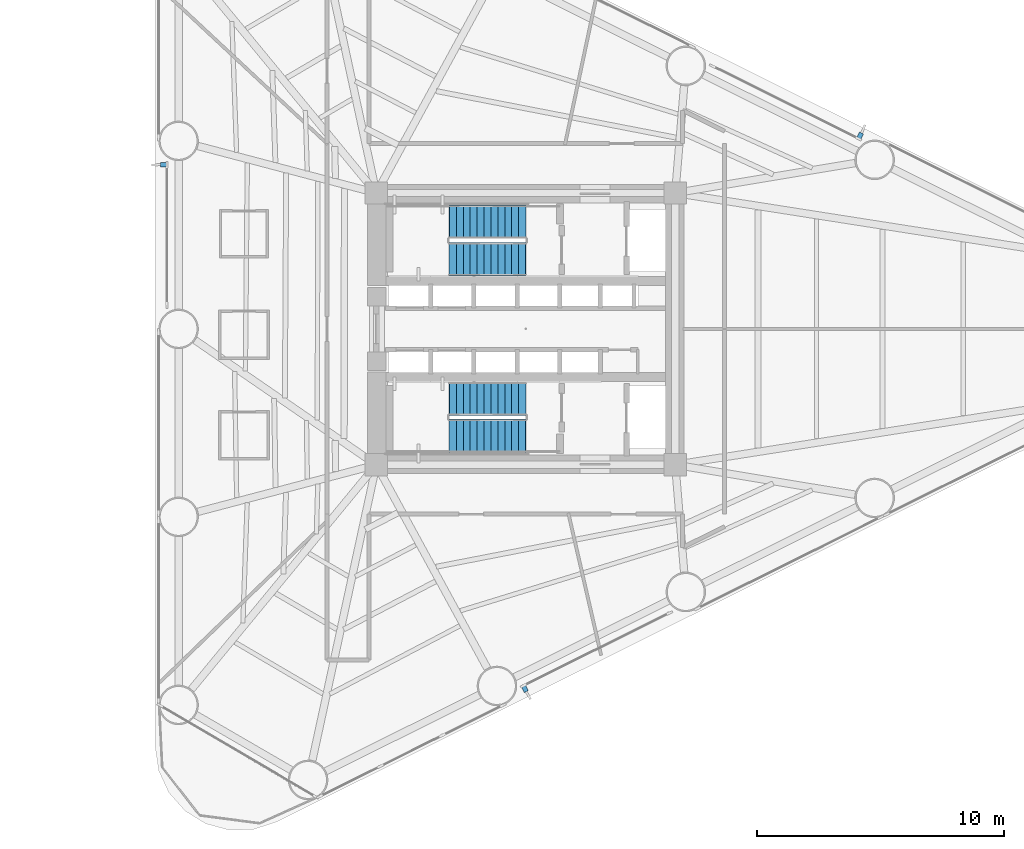
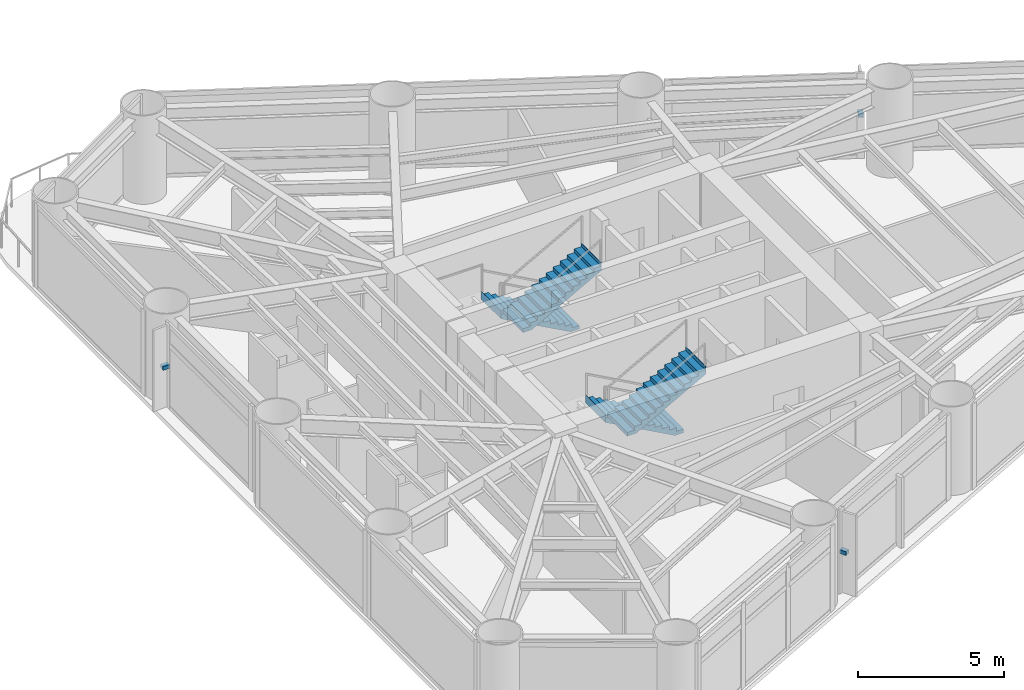
# One storey, part 7 of 10: 4 stair flights, 3 discrete accessories, 2 elements without a shape of their own.
"""IFC4 building model written with IfcOpenShell, lengths in metres."""

from ifc_helpers import new_model, si_unit, direction, frame, origin, origin_2d, place, context, subcontext, project, spatial, polyline, rectangle, outline, extrude, source, transform, mapped, material, type_object, element, aggregate, save


model = new_model("IFC4")

# Units and contexts
model_context = context("Model", 3, precision=1e-05, world=origin(), true_north=direction((0.0, 1.0)))
body_context = subcontext(model_context, "Body", "Model", "MODEL_VIEW")
ifc_project = project(units=[si_unit("LENGTHUNIT", "METRE"), si_unit("AREAUNIT", "SQUARE_METRE"), si_unit("VOLUMEUNIT", "CUBIC_METRE"), si_unit("PLANEANGLEUNIT", "RADIAN"), si_unit("MASSUNIT", "GRAM", prefix="KILO")], contexts=[model_context])

# Site, building, storey
site_placement = place(None, origin())
site = spatial("IfcSite", under=ifc_project, at=site_placement, CompositionType="ELEMENT")
building_placement = place(site_placement, origin())
building = spatial("IfcBuilding", under=site, at=building_placement, Name="Yunling Apex Tower", CompositionType="ELEMENT")
storey_placement = place(building_placement, frame((0.0, 0.0, 23.800048828125)))
storey = spatial("IfcBuildingStorey", under=building, at=storey_placement, Name="L07", CompositionType="ELEMENT", Elevation=23.800048828125)

# Stair, stair flights
ifc_material_1 = material(Name="Concrete C40", Category="concrete")
stair_type = type_object("IfcStairType", Name="ST-TWR-1", PredefinedType="HALF_TURN_STAIR", material=ifc_material_1)
stair_1_placement = place(storey_placement, origin())
stair_1 = element("IfcStair", 1, at=stair_1_placement, inside=storey, type_object=stair_type, Name="L07 North Core Smokeproof Exit Stair ST-1", PredefinedType="HALF_TURN_STAIR")
stair_flight_type = type_object("IfcStairFlightType", Name="SFL-TWR-1", PredefinedType="STRAIGHT", material=ifc_material_1)
stair_flight_1_placement = place(storey_placement, frame((-0.010009765625, 4.330078125, 0.0), z_axis=(0.0, 0.0, 1.0), x_axis=(-1.0, 0.0, 0.0)))
stair_flight_1 = element("IfcStairFlight", 2, at=stair_flight_1_placement, type_object=stair_flight_type, Name="ST-1 flight 1", NumberOfRisers=12, NumberOfTreads=11, PredefinedType="STRAIGHT", RiserHeight=0.154166667, TreadLength=0.28, context=body_context, shape_type="SweptSolid", body=[
    extrude(outline(polyline([(-0.011962890625, 0.0), (-0.011962890625, 0.154052734375), (0.0, 0.154052734375), (0.280029296875, 0.154052734375), (0.280029296875, 0.308349609375), (0.56005859375, 0.308349609375), (0.56005859375, 0.46240234375), (0.840087890625, 0.46240234375), (0.840087890625, 0.61669921875), (1.1201171875, 0.61669921875), (1.1201171875, 0.770751953125), (1.39990234375, 0.770751953125), (1.39990234375, 0.925048828125), (1.679931640625, 0.925048828125), (1.679931640625, 1.0791015625), (1.9599609375, 1.0791015625), (1.9599609375, 1.2333984375), (2.239990234375, 1.2333984375), (2.239990234375, 1.387451171875), (2.52001953125, 1.387451171875), (2.52001953125, 1.541748046875), (2.800048828125, 1.541748046875), (2.800048828125, 1.69580078125), (3.080078125, 1.69580078125), (3.080078125, 1.85009765625), (3.092041015625, 1.85009765625), (3.092041015625, 1.51318359375), (0.33154296875, 0.0), (-0.011962890625, 0.0)])), frame((0.0, 0.68017578125, 0.0), z_axis=(0.0, -1.0, 0.0), x_axis=(1.0, 0.0, 0.0)), (0.0, 0.0, 1.0), 1.360107421875),
])
stair_flight_2_placement = place(storey_placement, frame((-3.090087890625, 2.820068359375, 1.849853515625), z_axis=(0.0, 0.0, 1.0), x_axis=(1.0, 0.0, 0.0)))
stair_flight_2 = element("IfcStairFlight", 3, at=stair_flight_2_placement, type_object=stair_flight_type, Name="ST-1 flight 2", NumberOfRisers=12, NumberOfTreads=11, PredefinedType="STRAIGHT", RiserHeight=0.154166667, TreadLength=0.28, context=body_context, shape_type="SweptSolid", body=[
    extrude(outline(polyline([(-0.011962890625, 0.0), (-0.011962890625, 0.154052734375), (0.0, 0.154052734375), (0.280029296875, 0.154052734375), (0.280029296875, 0.308349609375), (0.56005859375, 0.308349609375), (0.56005859375, 0.46240234375), (0.840087890625, 0.46240234375), (0.840087890625, 0.61669921875), (1.1201171875, 0.61669921875), (1.1201171875, 0.770751953125), (1.39990234375, 0.770751953125), (1.39990234375, 0.925048828125), (1.679931640625, 0.925048828125), (1.679931640625, 1.0791015625), (1.9599609375, 1.0791015625), (1.9599609375, 1.2333984375), (2.239990234375, 1.2333984375), (2.239990234375, 1.387451171875), (2.52001953125, 1.387451171875), (2.52001953125, 1.541748046875), (2.800048828125, 1.541748046875), (2.800048828125, 1.69580078125), (3.080078125, 1.69580078125), (3.080078125, 1.85009765625), (3.092041015625, 1.85009765625), (3.092041015625, 1.51318359375), (0.33154296875, 0.0), (-0.011962890625, 0.0)])), frame((0.0, 0.68017578125, 0.0), z_axis=(0.0, -1.0, 0.0), x_axis=(1.0, 0.0, 0.0)), (0.0, 0.0, 1.0), 1.360107421875),
])
aggregate(stair_1, [stair_flight_1, stair_flight_2])

stair_2_placement = place(storey_placement, origin())
stair_2 = element("IfcStair", 4, at=stair_2_placement, inside=storey, type_object=stair_type, Name="L07 South Core Smokeproof Exit Stair ST-2", PredefinedType="HALF_TURN_STAIR")
stair_flight_3_placement = place(storey_placement, frame((-0.010009765625, -2.820068359375, 0.0), z_axis=(0.0, 0.0, 1.0), x_axis=(-1.0, 0.0, 0.0)))
stair_flight_3 = element("IfcStairFlight", 5, at=stair_flight_3_placement, type_object=stair_flight_type, Name="ST-2 flight 1", NumberOfRisers=12, NumberOfTreads=11, PredefinedType="STRAIGHT", RiserHeight=0.154166667, TreadLength=0.28, context=body_context, shape_type="SweptSolid", body=[
    extrude(outline(polyline([(-0.011962890625, 0.0), (-0.011962890625, 0.154052734375), (0.0, 0.154052734375), (0.280029296875, 0.154052734375), (0.280029296875, 0.308349609375), (0.56005859375, 0.308349609375), (0.56005859375, 0.46240234375), (0.840087890625, 0.46240234375), (0.840087890625, 0.61669921875), (1.1201171875, 0.61669921875), (1.1201171875, 0.770751953125), (1.39990234375, 0.770751953125), (1.39990234375, 0.925048828125), (1.679931640625, 0.925048828125), (1.679931640625, 1.0791015625), (1.9599609375, 1.0791015625), (1.9599609375, 1.2333984375), (2.239990234375, 1.2333984375), (2.239990234375, 1.387451171875), (2.52001953125, 1.387451171875), (2.52001953125, 1.541748046875), (2.800048828125, 1.541748046875), (2.800048828125, 1.69580078125), (3.080078125, 1.69580078125), (3.080078125, 1.85009765625), (3.092041015625, 1.85009765625), (3.092041015625, 1.51318359375), (0.33154296875, 0.0), (-0.011962890625, 0.0)])), frame((0.0, 0.68017578125, 0.0), z_axis=(0.0, -1.0, 0.0), x_axis=(1.0, 0.0, 0.0)), (0.0, 0.0, 1.0), 1.360107421875),
])
stair_flight_4_placement = place(storey_placement, frame((-3.090087890625, -4.330078125, 1.849853515625), z_axis=(0.0, 0.0, 1.0), x_axis=(1.0, 0.0, 0.0)))
stair_flight_4 = element("IfcStairFlight", 6, at=stair_flight_4_placement, type_object=stair_flight_type, Name="ST-2 flight 2", NumberOfRisers=12, NumberOfTreads=11, PredefinedType="STRAIGHT", RiserHeight=0.154166667, TreadLength=0.28, context=body_context, shape_type="SweptSolid", body=[
    extrude(outline(polyline([(-0.011962890625, 0.0), (-0.011962890625, 0.154052734375), (0.0, 0.154052734375), (0.280029296875, 0.154052734375), (0.280029296875, 0.308349609375), (0.56005859375, 0.308349609375), (0.56005859375, 0.46240234375), (0.840087890625, 0.46240234375), (0.840087890625, 0.61669921875), (1.1201171875, 0.61669921875), (1.1201171875, 0.770751953125), (1.39990234375, 0.770751953125), (1.39990234375, 0.925048828125), (1.679931640625, 0.925048828125), (1.679931640625, 1.0791015625), (1.9599609375, 1.0791015625), (1.9599609375, 1.2333984375), (2.239990234375, 1.2333984375), (2.239990234375, 1.387451171875), (2.52001953125, 1.387451171875), (2.52001953125, 1.541748046875), (2.800048828125, 1.541748046875), (2.800048828125, 1.69580078125), (3.080078125, 1.69580078125), (3.080078125, 1.85009765625), (3.092041015625, 1.85009765625), (3.092041015625, 1.51318359375), (0.33154296875, 0.0), (-0.011962890625, 0.0)])), frame((0.0, 0.68017578125, 0.0), z_axis=(0.0, -1.0, 0.0), x_axis=(1.0, 0.0, 0.0)), (0.0, 0.0, 1.0), 1.360107421875),
])
aggregate(stair_2, [stair_flight_3, stair_flight_4])

# Discrete accessories
ifc_material_2 = material(Name="Steel Q355B", Category="steel")
discrete_accessory_type = type_object("IfcDiscreteAccessoryType", Name="BK-FIN-1", PredefinedType="BRACKET", material=ifc_material_2)
shared_shape = source(origin(), body_context, "Body", "SweptSolid", [
    extrude(rectangle(XDim=0.179931640625, YDim=0.260009765625, at=origin_2d()), origin(), (0.0, 0.0, 1.0), 0.159912109375),
])
for number, where, z_axis, x_axis, name in (
    (7, (-0.0380859375, -14.561279296875, 1.677734375), (0.0, 0.0, 1.0), (0.895245648325, 0.445572922377, 0.0), "CW-L07-F1-B2-BRK-01-1"),
    (8, (13.527587890625, 7.8095703125, 1.677734375), (0.0, 0.0, 1.0), (-0.895245648325, 0.445572922377, 0.0), "CW-L07-F2-B2-BRK-01-1"),
    (9, (-14.652099609375, 6.64697265625, 1.677734375), (0.0, 0.0, 1.0), (0.0, -1.0, 0.0), "CW-L07-F3-B2-BRK-01-1"),
):
    element("IfcDiscreteAccessory", number, at=place(storey_placement, frame(where, z_axis=z_axis, x_axis=x_axis)), inside=storey, type_object=discrete_accessory_type, Name=name, PredefinedType="BRACKET", context=body_context, shape_type="MappedRepresentation", body=[
        mapped(shared_shape, transform((0.0, 0.0, 0.0), scale=1.0)),
    ])

save(model, "model.ifc")
